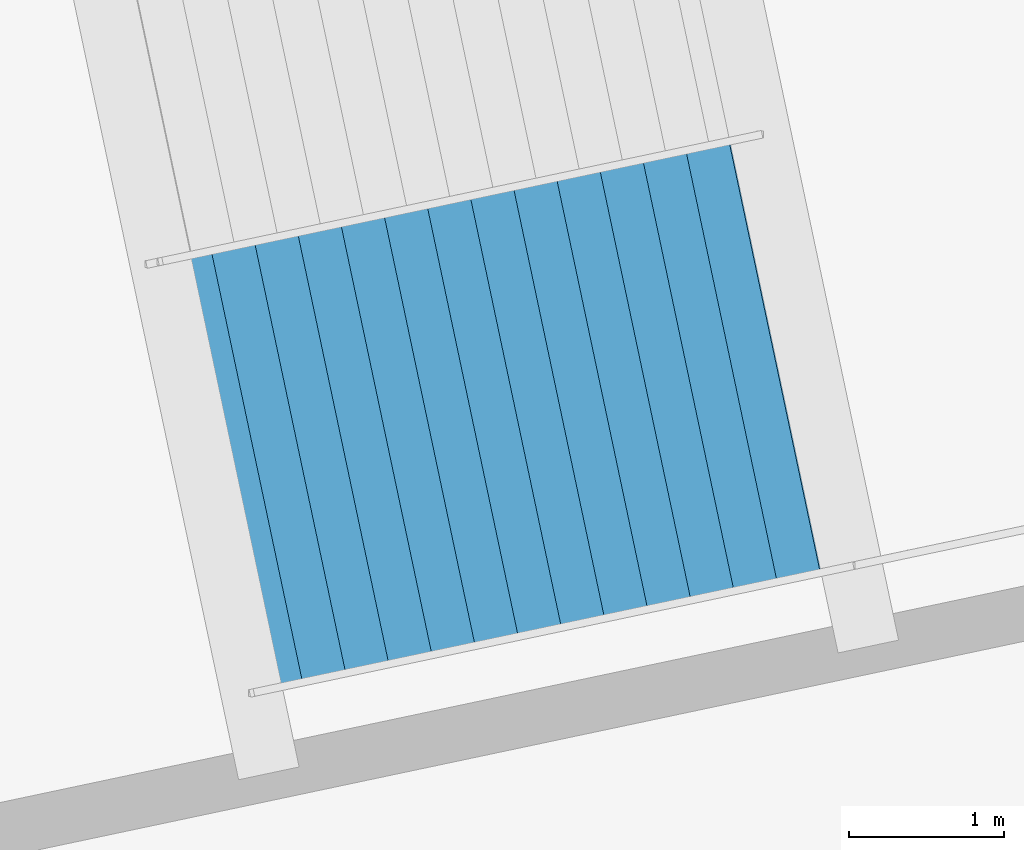
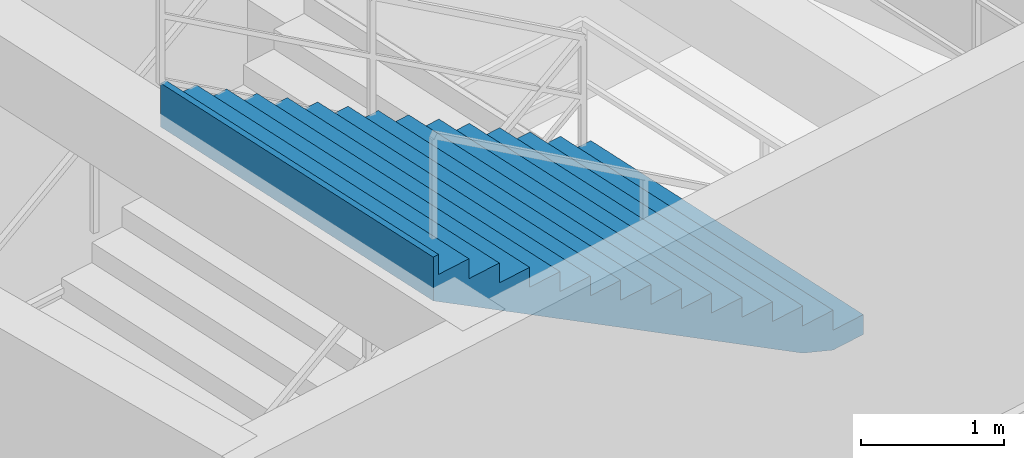
# One storey, part 159 of 184: 1 stair flight, 1 element without a shape of its own.
"""IFC4 building model written with IfcOpenShell, lengths in metres."""

from ifc_helpers import new_model, si_unit, direction, frame, origin, place, context, subcontext, project, spatial, polygons, material, type_object, element, aggregate, save


model = new_model("IFC4")

# Units and contexts
model_context = context("Model", 3, precision=1e-05, world=origin(), true_north=direction((0.0, 1.0)))
body_context = subcontext(model_context, "Body", "Model", "MODEL_VIEW")
ifc_project = project(units=[si_unit("LENGTHUNIT", "METRE"), si_unit("AREAUNIT", "SQUARE_METRE"), si_unit("VOLUMEUNIT", "CUBIC_METRE"), si_unit("PLANEANGLEUNIT", "RADIAN"), si_unit("MASSUNIT", "GRAM", prefix="KILO")], contexts=[model_context])

# Site, building, storey
site_placement = place(None, origin())
site = spatial("IfcSite", under=ifc_project, at=site_placement, CompositionType="ELEMENT")
building_placement = place(site_placement, origin())
building = spatial("IfcBuilding", under=site, at=building_placement, Name="Kazemori Nagisa Stadium", CompositionType="ELEMENT")
storey_placement = place(building_placement, frame((0.0, 0.0, 10.5400390625)))
storey = spatial("IfcBuildingStorey", under=building, at=storey_placement, Name="L02", CompositionType="ELEMENT", Elevation=10.5400390625)

# Stair, stair flight
ifc_material = material(Name="Concrete C36/45 (Fc36)", Category="concrete")
stair_type = type_object("IfcStairType", Name="Stair_CORE_30", PredefinedType="TWO_STRAIGHT_RUN_STAIR", material=ifc_material)
stair_placement = place(storey_placement, origin())
stair = element("IfcStair", 1, at=stair_placement, inside=storey, type_object=stair_type, Name="Exit stair ST06 L02", PredefinedType="TWO_STRAIGHT_RUN_STAIR")
stair_flight_type = type_object("IfcStairFlightType", Name="Flight_CORE_15", PredefinedType="STRAIGHT", material=ifc_material)
stair_flight_placement = place(storey_placement, frame((150.6142578125, 23.0068359375, 2.550048828125), z_axis=(0.0, 0.0, 1.0), x_axis=(-0.978353276852, -0.206941696311, 0.0)))
stair_flight = element("IfcStairFlight", 2, at=stair_flight_placement, type_object=stair_flight_type, Name="Exit stair ST06 L02 flight 2", NumberOfRisers=15, NumberOfTreads=14, PredefinedType="STRAIGHT", RiserHeight=0.17, TreadLength=0.285, context=body_context, shape_type="Tessellation", body=[
    polygons([(0.0, -1.425048828125, 0.0), (0.0, -1.425048828125, 0.169921875), (0.284912109375, -1.425048828125, 0.169921875), (0.284912109375, -1.425048828125, 0.340087890625), (0.570068359375, -1.425048828125, 0.340087890625), (0.570068359375, -1.425048828125, 0.510009765625), (0.85498046875, -1.425048828125, 0.510009765625), (0.85498046875, -1.425048828125, 0.679931640625), (1.139892578125, -1.425048828125, 0.679931640625), (1.139892578125, -1.425048828125, 0.85009765625), (1.425048828125, -1.425048828125, 0.85009765625), (1.425048828125, -1.425048828125, 1.02001953125), (1.7099609375, -1.425048828125, 1.02001953125), (1.7099609375, -1.425048828125, 1.18994140625), (1.9951171875, -1.425048828125, 1.18994140625), (1.9951171875, -1.425048828125, 1.360107421875), (2.280029296875, -1.425048828125, 1.360107421875), (2.280029296875, -1.425048828125, 1.530029296875), (2.56494140625, -1.425048828125, 1.530029296875), (2.56494140625, -1.425048828125, 1.699951171875), (2.85009765625, -1.425048828125, 1.699951171875), (2.85009765625, -1.425048828125, 1.8701171875), (3.135009765625, -1.425048828125, 1.8701171875), (3.135009765625, -1.425048828125, 2.0400390625), (3.419921875, -1.425048828125, 2.0400390625), (3.419921875, -1.425048828125, 2.2099609375), (3.705078125, -1.425048828125, 2.2099609375), (3.705078125, -1.425048828125, 2.3798828125), (3.989990234375, -1.425048828125, 2.3798828125), (3.989990234375, -1.425048828125, 2.550048828125), (4.0400390625, -1.425048828125, 2.550048828125), (4.0400390625, -1.425048828125, 2.177001953125), (3.989990234375, -1.425048828125, 2.147216796875), (3.705078125, -1.425048828125, 1.977294921875), (3.419921875, -1.425048828125, 1.80712890625), (3.135009765625, -1.425048828125, 1.63720703125), (2.85009765625, -1.425048828125, 1.46728515625), (2.56494140625, -1.425048828125, 1.297119140625), (2.280029296875, -1.425048828125, 1.127197265625), (1.9951171875, -1.425048828125, 0.957275390625), (1.7099609375, -1.425048828125, 0.787109375), (1.425048828125, -1.425048828125, 0.6171875), (1.139892578125, -1.425048828125, 0.447265625), (0.85498046875, -1.425048828125, 0.277099609375), (0.570068359375, -1.425048828125, 0.107177734375), (0.284912109375, -1.425048828125, 0.0), (0.0, -0.08544921875, 0.0), (0.0, -0.08544921875, 0.169921875), (0.284912109375, -0.08544921875, 0.169921875), (0.284912109375, -0.08544921875, 0.340087890625), (0.570068359375, -0.08544921875, 0.340087890625), (0.570068359375, -0.08544921875, 0.510009765625), (0.85498046875, -0.08544921875, 0.510009765625), (0.85498046875, -0.08544921875, 0.679931640625), (1.139892578125, -0.08544921875, 0.679931640625), (1.139892578125, -0.08544921875, 0.85009765625), (1.425048828125, -0.08544921875, 0.85009765625), (1.425048828125, -0.08544921875, 1.02001953125), (1.7099609375, -0.08544921875, 1.02001953125), (1.7099609375, -0.08544921875, 1.18994140625), (1.9951171875, -0.08544921875, 1.18994140625), (1.9951171875, -0.08544921875, 1.360107421875), (2.280029296875, -0.08544921875, 1.360107421875), (2.280029296875, -0.08544921875, 1.530029296875), (2.56494140625, -0.08544921875, 1.530029296875), (2.56494140625, -0.08544921875, 1.699951171875), (2.85009765625, -0.08544921875, 1.699951171875), (2.85009765625, -0.08544921875, 1.8701171875), (3.135009765625, -0.08544921875, 1.8701171875), (3.135009765625, -0.08544921875, 2.0400390625), (3.419921875, -0.08544921875, 2.0400390625), (3.419921875, -0.08544921875, 2.2099609375), (3.705078125, -0.08544921875, 2.2099609375), (3.705078125, -0.08544921875, 2.3798828125), (3.989990234375, -0.08544921875, 2.3798828125), (3.989990234375, -0.08544921875, 2.550048828125), (4.0400390625, -0.08544921875, 2.550048828125), (4.0400390625, -0.08544921875, 2.177001953125), (3.989990234375, -0.08544921875, 2.147216796875), (3.705078125, -0.08544921875, 1.977294921875), (3.419921875, -0.08544921875, 1.80712890625), (3.135009765625, -0.08544921875, 1.63720703125), (2.85009765625, -0.08544921875, 1.46728515625), (2.56494140625, -0.08544921875, 1.297119140625), (2.280029296875, -0.08544921875, 1.127197265625), (1.9951171875, -0.08544921875, 0.957275390625), (1.7099609375, -0.08544921875, 0.787109375), (1.425048828125, -0.08544921875, 0.6171875), (1.139892578125, -0.08544921875, 0.447265625), (0.85498046875, -0.08544921875, 0.277099609375), (0.570068359375, -0.08544921875, 0.107177734375), (0.284912109375, -0.08544921875, 0.0), (0.0, 0.0, 0.0), (0.0, 0.0, 0.169921875), (0.284912109375, 0.0, 0.169921875), (0.284912109375, 0.0, 0.340087890625), (0.570068359375, 0.0, 0.340087890625), (0.570068359375, 0.0, 0.510009765625), (0.85498046875, 0.0, 0.510009765625), (0.85498046875, 0.0, 0.679931640625), (1.139892578125, 0.0, 0.679931640625), (1.139892578125, 0.0, 0.85009765625), (1.425048828125, 0.0, 0.85009765625), (1.425048828125, 0.0, 1.02001953125), (1.7099609375, 0.0, 1.02001953125), (1.7099609375, 0.0, 1.18994140625), (1.9951171875, 0.0, 1.18994140625), (1.9951171875, 0.0, 1.360107421875), (2.280029296875, 0.0, 1.360107421875), (2.280029296875, 0.0, 1.530029296875), (2.56494140625, 0.0, 1.530029296875), (2.56494140625, 0.0, 1.699951171875), (2.85009765625, 0.0, 1.699951171875), (2.85009765625, 0.0, 1.8701171875), (3.135009765625, 0.0, 1.8701171875), (3.135009765625, 0.0, 2.0400390625), (3.419921875, 0.0, 2.0400390625), (3.419921875, 0.0, 2.2099609375), (3.705078125, 0.0, 2.2099609375), (3.705078125, 0.0, 2.3798828125), (3.989990234375, 0.0, 2.3798828125), (3.989990234375, 0.0, 2.550048828125), (4.0400390625, 0.0, 2.550048828125), (4.0400390625, 0.0, 2.177001953125), (3.989990234375, 0.0, 2.147216796875), (3.705078125, 0.0, 1.977294921875), (3.419921875, 0.0, 1.80712890625), (3.135009765625, 0.0, 1.63720703125), (2.85009765625, 0.0, 1.46728515625), (2.56494140625, 0.0, 1.297119140625), (2.280029296875, 0.0, 1.127197265625), (1.9951171875, 0.0, 0.957275390625), (1.7099609375, 0.0, 0.787109375), (1.425048828125, 0.0, 0.6171875), (1.139892578125, 0.0, 0.447265625), (0.85498046875, 0.0, 0.277099609375), (0.570068359375, 0.0, 0.107177734375), (0.284912109375, 0.0, 0.0), (0.0, 0.08544921875, 0.0), (0.0, 0.08544921875, 0.169921875), (0.284912109375, 0.08544921875, 0.169921875), (0.284912109375, 0.08544921875, 0.340087890625), (0.570068359375, 0.08544921875, 0.340087890625), (0.570068359375, 0.08544921875, 0.510009765625), (0.85498046875, 0.08544921875, 0.510009765625), (0.85498046875, 0.08544921875, 0.679931640625), (1.139892578125, 0.08544921875, 0.679931640625), (1.139892578125, 0.08544921875, 0.85009765625), (1.425048828125, 0.08544921875, 0.85009765625), (1.425048828125, 0.08544921875, 1.02001953125), (1.7099609375, 0.08544921875, 1.02001953125), (1.7099609375, 0.08544921875, 1.18994140625), (1.9951171875, 0.08544921875, 1.18994140625), (1.9951171875, 0.08544921875, 1.360107421875), (2.280029296875, 0.08544921875, 1.360107421875), (2.280029296875, 0.08544921875, 1.530029296875), (2.56494140625, 0.08544921875, 1.530029296875), (2.56494140625, 0.08544921875, 1.699951171875), (2.85009765625, 0.08544921875, 1.699951171875), (2.85009765625, 0.08544921875, 1.8701171875), (3.135009765625, 0.08544921875, 1.8701171875), (3.135009765625, 0.08544921875, 2.0400390625), (3.419921875, 0.08544921875, 2.0400390625), (3.419921875, 0.08544921875, 2.2099609375), (3.705078125, 0.08544921875, 2.2099609375), (3.705078125, 0.08544921875, 2.3798828125), (3.989990234375, 0.08544921875, 2.3798828125), (3.989990234375, 0.08544921875, 2.550048828125), (4.0400390625, 0.08544921875, 2.550048828125), (4.0400390625, 0.08544921875, 2.177001953125), (3.989990234375, 0.08544921875, 2.147216796875), (3.705078125, 0.08544921875, 1.977294921875), (3.419921875, 0.08544921875, 1.80712890625), (3.135009765625, 0.08544921875, 1.63720703125), (2.85009765625, 0.08544921875, 1.46728515625), (2.56494140625, 0.08544921875, 1.297119140625), (2.280029296875, 0.08544921875, 1.127197265625), (1.9951171875, 0.08544921875, 0.957275390625), (1.7099609375, 0.08544921875, 0.787109375), (1.425048828125, 0.08544921875, 0.6171875), (1.139892578125, 0.08544921875, 0.447265625), (0.85498046875, 0.08544921875, 0.277099609375), (0.570068359375, 0.08544921875, 0.107177734375), (0.284912109375, 0.08544921875, 0.0), (0.0, 1.425048828125, 0.0), (0.0, 1.425048828125, 0.169921875), (0.284912109375, 1.425048828125, 0.169921875), (0.284912109375, 1.425048828125, 0.340087890625), (0.570068359375, 1.425048828125, 0.340087890625), (0.570068359375, 1.425048828125, 0.510009765625), (0.85498046875, 1.425048828125, 0.510009765625), (0.85498046875, 1.425048828125, 0.679931640625), (1.139892578125, 1.425048828125, 0.679931640625), (1.139892578125, 1.425048828125, 0.85009765625), (1.425048828125, 1.425048828125, 0.85009765625), (1.425048828125, 1.425048828125, 1.02001953125), (1.7099609375, 1.425048828125, 1.02001953125), (1.7099609375, 1.425048828125, 1.18994140625), (1.9951171875, 1.425048828125, 1.18994140625), (1.9951171875, 1.425048828125, 1.360107421875), (2.280029296875, 1.425048828125, 1.360107421875), (2.280029296875, 1.425048828125, 1.530029296875), (2.56494140625, 1.425048828125, 1.530029296875), (2.56494140625, 1.425048828125, 1.699951171875), (2.85009765625, 1.425048828125, 1.699951171875), (2.85009765625, 1.425048828125, 1.8701171875), (3.135009765625, 1.425048828125, 1.8701171875), (3.135009765625, 1.425048828125, 2.0400390625), (3.419921875, 1.425048828125, 2.0400390625), (3.419921875, 1.425048828125, 2.2099609375), (3.705078125, 1.425048828125, 2.2099609375), (3.705078125, 1.425048828125, 2.3798828125), (3.989990234375, 1.425048828125, 2.3798828125), (3.989990234375, 1.425048828125, 2.550048828125), (4.0400390625, 1.425048828125, 2.550048828125), (4.0400390625, 1.425048828125, 2.177001953125), (3.989990234375, 1.425048828125, 2.147216796875), (3.705078125, 1.425048828125, 1.977294921875), (3.419921875, 1.425048828125, 1.80712890625), (3.135009765625, 1.425048828125, 1.63720703125), (2.85009765625, 1.425048828125, 1.46728515625), (2.56494140625, 1.425048828125, 1.297119140625), (2.280029296875, 1.425048828125, 1.127197265625), (1.9951171875, 1.425048828125, 0.957275390625), (1.7099609375, 1.425048828125, 0.787109375), (1.425048828125, 1.425048828125, 0.6171875), (1.139892578125, 1.425048828125, 0.447265625), (0.85498046875, 1.425048828125, 0.277099609375), (0.570068359375, 1.425048828125, 0.107177734375), (0.284912109375, 1.425048828125, 0.0)], [[[1, 2, 48]], [[1, 48, 47]], [[2, 3, 49]], [[2, 49, 48]], [[3, 4, 50]], [[3, 50, 49]], [[4, 5, 51]], [[4, 51, 50]], [[5, 6, 52]], [[5, 52, 51]], [[6, 7, 53]], [[6, 53, 52]], [[7, 8, 54]], [[7, 54, 53]], [[8, 9, 55]], [[8, 55, 54]], [[9, 10, 56]], [[9, 56, 55]], [[10, 11, 57]], [[10, 57, 56]], [[11, 12, 58]], [[11, 58, 57]], [[12, 13, 59]], [[12, 59, 58]], [[13, 14, 60]], [[13, 60, 59]], [[14, 15, 61]], [[14, 61, 60]], [[15, 16, 62]], [[15, 62, 61]], [[16, 17, 63]], [[16, 63, 62]], [[17, 18, 64]], [[17, 64, 63]], [[18, 19, 65]], [[18, 65, 64]], [[19, 20, 66]], [[19, 66, 65]], [[20, 21, 67]], [[20, 67, 66]], [[21, 22, 68]], [[21, 68, 67]], [[22, 23, 69]], [[22, 69, 68]], [[23, 24, 70]], [[23, 70, 69]], [[24, 25, 71]], [[24, 71, 70]], [[25, 26, 72]], [[25, 72, 71]], [[26, 27, 73]], [[26, 73, 72]], [[27, 28, 74]], [[27, 74, 73]], [[28, 29, 75]], [[28, 75, 74]], [[29, 30, 76]], [[29, 76, 75]], [[30, 31, 77]], [[30, 77, 76]], [[31, 32, 78]], [[31, 78, 77]], [[32, 33, 79]], [[32, 79, 78]], [[33, 34, 80]], [[33, 80, 79]], [[34, 35, 81]], [[34, 81, 80]], [[35, 36, 82]], [[35, 82, 81]], [[36, 37, 83]], [[36, 83, 82]], [[37, 38, 84]], [[37, 84, 83]], [[38, 39, 85]], [[38, 85, 84]], [[39, 40, 86]], [[39, 86, 85]], [[40, 41, 87]], [[40, 87, 86]], [[41, 42, 88]], [[41, 88, 87]], [[42, 43, 89]], [[42, 89, 88]], [[43, 44, 90]], [[43, 90, 89]], [[44, 45, 91]], [[44, 91, 90]], [[45, 46, 92]], [[45, 92, 91]], [[46, 1, 47]], [[46, 47, 92]], [[47, 48, 94]], [[47, 94, 93]], [[48, 49, 95]], [[48, 95, 94]], [[49, 50, 96]], [[49, 96, 95]], [[50, 51, 97]], [[50, 97, 96]], [[51, 52, 98]], [[51, 98, 97]], [[52, 53, 99]], [[52, 99, 98]], [[53, 54, 100]], [[53, 100, 99]], [[54, 55, 101]], [[54, 101, 100]], [[55, 56, 102]], [[55, 102, 101]], [[56, 57, 103]], [[56, 103, 102]], [[57, 58, 104]], [[57, 104, 103]], [[58, 59, 105]], [[58, 105, 104]], [[59, 60, 106]], [[59, 106, 105]], [[60, 61, 107]], [[60, 107, 106]], [[61, 62, 108]], [[61, 108, 107]], [[62, 63, 109]], [[62, 109, 108]], [[63, 64, 110]], [[63, 110, 109]], [[64, 65, 111]], [[64, 111, 110]], [[65, 66, 112]], [[65, 112, 111]], [[66, 67, 113]], [[66, 113, 112]], [[67, 68, 114]], [[67, 114, 113]], [[68, 69, 115]], [[68, 115, 114]], [[69, 70, 116]], [[69, 116, 115]], [[70, 71, 117]], [[70, 117, 116]], [[71, 72, 118]], [[71, 118, 117]], [[72, 73, 119]], [[72, 119, 118]], [[73, 74, 120]], [[73, 120, 119]], [[74, 75, 121]], [[74, 121, 120]], [[75, 76, 122]], [[75, 122, 121]], [[76, 77, 123]], [[76, 123, 122]], [[77, 78, 124]], [[77, 124, 123]], [[78, 79, 125]], [[78, 125, 124]], [[79, 80, 126]], [[79, 126, 125]], [[80, 81, 127]], [[80, 127, 126]], [[81, 82, 128]], [[81, 128, 127]], [[82, 83, 129]], [[82, 129, 128]], [[83, 84, 130]], [[83, 130, 129]], [[84, 85, 131]], [[84, 131, 130]], [[85, 86, 132]], [[85, 132, 131]], [[86, 87, 133]], [[86, 133, 132]], [[87, 88, 134]], [[87, 134, 133]], [[88, 89, 135]], [[88, 135, 134]], [[89, 90, 136]], [[89, 136, 135]], [[90, 91, 137]], [[90, 137, 136]], [[91, 92, 138]], [[91, 138, 137]], [[92, 47, 93]], [[92, 93, 138]], [[93, 94, 140]], [[93, 140, 139]], [[94, 95, 141]], [[94, 141, 140]], [[95, 96, 142]], [[95, 142, 141]], [[96, 97, 143]], [[96, 143, 142]], [[97, 98, 144]], [[97, 144, 143]], [[98, 99, 145]], [[98, 145, 144]], [[99, 100, 146]], [[99, 146, 145]], [[100, 101, 147]], [[100, 147, 146]], [[101, 102, 148]], [[101, 148, 147]], [[102, 103, 149]], [[102, 149, 148]], [[103, 104, 150]], [[103, 150, 149]], [[104, 105, 151]], [[104, 151, 150]], [[105, 106, 152]], [[105, 152, 151]], [[106, 107, 153]], [[106, 153, 152]], [[107, 108, 154]], [[107, 154, 153]], [[108, 109, 155]], [[108, 155, 154]], [[109, 110, 156]], [[109, 156, 155]], [[110, 111, 157]], [[110, 157, 156]], [[111, 112, 158]], [[111, 158, 157]], [[112, 113, 159]], [[112, 159, 158]], [[113, 114, 160]], [[113, 160, 159]], [[114, 115, 161]], [[114, 161, 160]], [[115, 116, 162]], [[115, 162, 161]], [[116, 117, 163]], [[116, 163, 162]], [[117, 118, 164]], [[117, 164, 163]], [[118, 119, 165]], [[118, 165, 164]], [[119, 120, 166]], [[119, 166, 165]], [[120, 121, 167]], [[120, 167, 166]], [[121, 122, 168]], [[121, 168, 167]], [[122, 123, 169]], [[122, 169, 168]], [[123, 124, 170]], [[123, 170, 169]], [[124, 125, 171]], [[124, 171, 170]], [[125, 126, 172]], [[125, 172, 171]], [[126, 127, 173]], [[126, 173, 172]], [[127, 128, 174]], [[127, 174, 173]], [[128, 129, 175]], [[128, 175, 174]], [[129, 130, 176]], [[129, 176, 175]], [[130, 131, 177]], [[130, 177, 176]], [[131, 132, 178]], [[131, 178, 177]], [[132, 133, 179]], [[132, 179, 178]], [[133, 134, 180]], [[133, 180, 179]], [[134, 135, 181]], [[134, 181, 180]], [[135, 136, 182]], [[135, 182, 181]], [[136, 137, 183]], [[136, 183, 182]], [[137, 138, 184]], [[137, 184, 183]], [[138, 93, 139]], [[138, 139, 184]], [[139, 140, 186]], [[139, 186, 185]], [[140, 141, 187]], [[140, 187, 186]], [[141, 142, 188]], [[141, 188, 187]], [[142, 143, 189]], [[142, 189, 188]], [[143, 144, 190]], [[143, 190, 189]], [[144, 145, 191]], [[144, 191, 190]], [[145, 146, 192]], [[145, 192, 191]], [[146, 147, 193]], [[146, 193, 192]], [[147, 148, 194]], [[147, 194, 193]], [[148, 149, 195]], [[148, 195, 194]], [[149, 150, 196]], [[149, 196, 195]], [[150, 151, 197]], [[150, 197, 196]], [[151, 152, 198]], [[151, 198, 197]], [[152, 153, 199]], [[152, 199, 198]], [[153, 154, 200]], [[153, 200, 199]], [[154, 155, 201]], [[154, 201, 200]], [[155, 156, 202]], [[155, 202, 201]], [[156, 157, 203]], [[156, 203, 202]], [[157, 158, 204]], [[157, 204, 203]], [[158, 159, 205]], [[158, 205, 204]], [[159, 160, 206]], [[159, 206, 205]], [[160, 161, 207]], [[160, 207, 206]], [[161, 162, 208]], [[161, 208, 207]], [[162, 163, 209]], [[162, 209, 208]], [[163, 164, 210]], [[163, 210, 209]], [[164, 165, 211]], [[164, 211, 210]], [[165, 166, 212]], [[165, 212, 211]], [[166, 167, 213]], [[166, 213, 212]], [[167, 168, 214]], [[167, 214, 213]], [[168, 169, 215]], [[168, 215, 214]], [[169, 170, 216]], [[169, 216, 215]], [[170, 171, 217]], [[170, 217, 216]], [[171, 172, 218]], [[171, 218, 217]], [[172, 173, 219]], [[172, 219, 218]], [[173, 174, 220]], [[173, 220, 219]], [[174, 175, 221]], [[174, 221, 220]], [[175, 176, 222]], [[175, 222, 221]], [[176, 177, 223]], [[176, 223, 222]], [[177, 178, 224]], [[177, 224, 223]], [[178, 179, 225]], [[178, 225, 224]], [[179, 180, 226]], [[179, 226, 225]], [[180, 181, 227]], [[180, 227, 226]], [[181, 182, 228]], [[181, 228, 227]], [[182, 183, 229]], [[182, 229, 228]], [[183, 184, 230]], [[183, 230, 229]], [[184, 139, 185]], [[184, 185, 230]], [[3, 2, 1]], [[185, 186, 187]], [[46, 3, 1]], [[185, 187, 230]], [[45, 3, 46]], [[230, 187, 229]], [[5, 3, 45]], [[229, 187, 189]], [[5, 4, 3]], [[187, 188, 189]], [[44, 5, 45]], [[229, 189, 228]], [[7, 5, 44]], [[228, 189, 191]], [[7, 6, 5]], [[189, 190, 191]], [[43, 7, 44]], [[228, 191, 227]], [[9, 7, 43]], [[227, 191, 193]], [[9, 8, 7]], [[191, 192, 193]], [[42, 9, 43]], [[227, 193, 226]], [[11, 9, 42]], [[226, 193, 195]], [[11, 10, 9]], [[193, 194, 195]], [[41, 11, 42]], [[226, 195, 225]], [[13, 11, 41]], [[225, 195, 197]], [[13, 12, 11]], [[195, 196, 197]], [[40, 13, 41]], [[225, 197, 224]], [[15, 13, 40]], [[224, 197, 199]], [[15, 14, 13]], [[197, 198, 199]], [[39, 15, 40]], [[224, 199, 223]], [[17, 15, 39]], [[223, 199, 201]], [[17, 16, 15]], [[199, 200, 201]], [[38, 17, 39]], [[223, 201, 222]], [[19, 17, 38]], [[222, 201, 203]], [[19, 18, 17]], [[201, 202, 203]], [[37, 19, 38]], [[222, 203, 221]], [[21, 19, 37]], [[221, 203, 205]], [[21, 20, 19]], [[203, 204, 205]], [[36, 21, 37]], [[221, 205, 220]], [[23, 21, 36]], [[220, 205, 207]], [[23, 22, 21]], [[205, 206, 207]], [[35, 23, 36]], [[220, 207, 219]], [[25, 23, 35]], [[219, 207, 209]], [[25, 24, 23]], [[207, 208, 209]], [[34, 25, 35]], [[219, 209, 218]], [[27, 25, 34]], [[218, 209, 211]], [[27, 26, 25]], [[209, 210, 211]], [[33, 27, 34]], [[218, 211, 217]], [[29, 27, 33]], [[217, 211, 213]], [[29, 28, 27]], [[211, 212, 213]], [[32, 29, 33]], [[217, 213, 216]], [[31, 29, 32]], [[216, 213, 215]], [[31, 30, 29]], [[213, 214, 215]]], closed=True),
])
aggregate(stair, [stair_flight])

save(model, "model.ifc")
